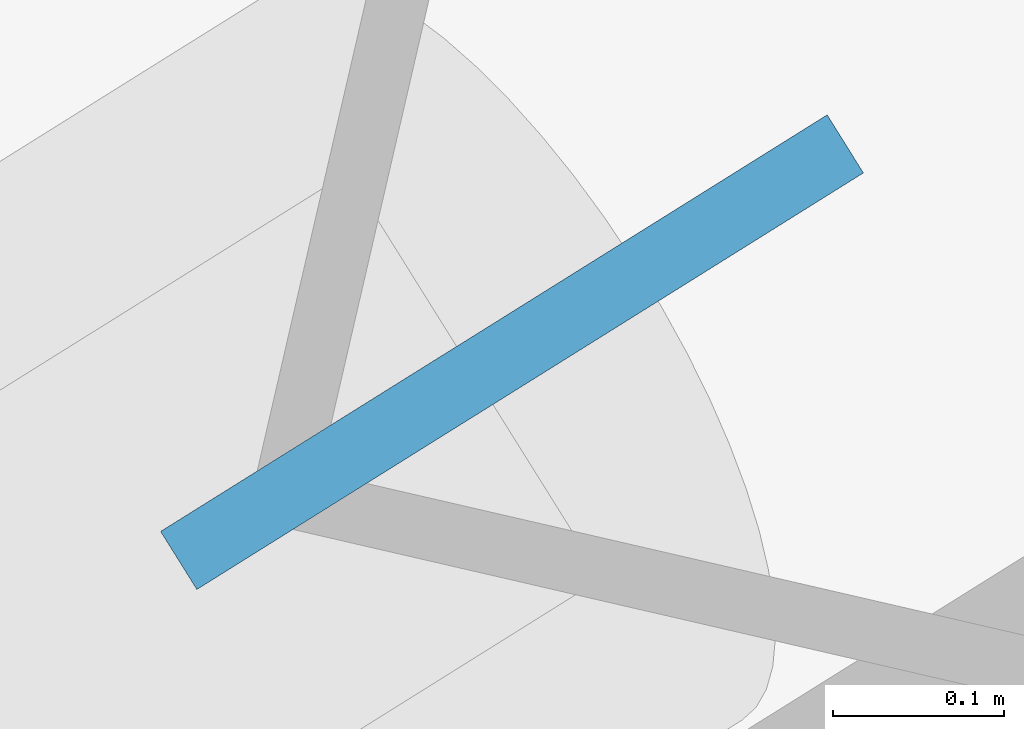
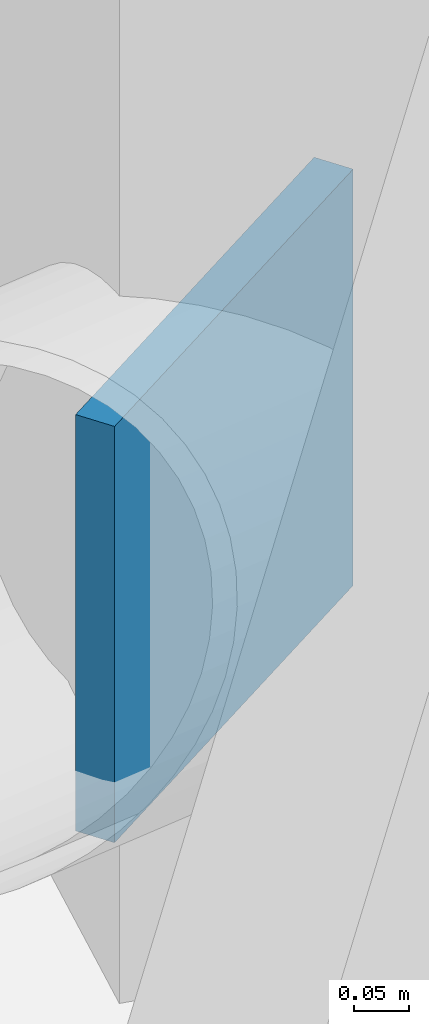
# One storey, part 16 of 19: 1 discrete accessory.
"""IFC4 building model written with IfcOpenShell, lengths in metres."""

from ifc_helpers import new_model, si_unit, direction, frame, origin, origin_2d, place, context, subcontext, project, spatial, rectangle, extrude, material, type_object, element, save


model = new_model("IFC4")

# Units and contexts
model_context = context("Model", 3, precision=1e-05, world=origin(), true_north=direction((0.0, 1.0)))
body_context = subcontext(model_context, "Body", "Model", "MODEL_VIEW")
ifc_project = project(units=[si_unit("LENGTHUNIT", "METRE"), si_unit("AREAUNIT", "SQUARE_METRE"), si_unit("VOLUMEUNIT", "CUBIC_METRE"), si_unit("PLANEANGLEUNIT", "RADIAN"), si_unit("MASSUNIT", "GRAM", prefix="KILO")], contexts=[model_context])

# Site, building, storey
site_placement = place(None, origin())
site = spatial("IfcSite", under=ifc_project, at=site_placement, CompositionType="ELEMENT")
building_placement = place(site_placement, origin())
building = spatial("IfcBuilding", under=site, at=building_placement, Name="Tavrogorsk Clinical Tower", CompositionType="ELEMENT")
storey_placement = place(building_placement, frame((0.0, 0.0, 75.39990234375)))
storey = spatial("IfcBuildingStorey", under=building, at=storey_placement, Name="L16", CompositionType="ELEMENT", Elevation=75.39990234375)

# Discrete accessory
ifc_material = material(Name="Structural steel S440", Category="steel")
discrete_accessory_type = type_object("IfcDiscreteAccessoryType", Name="GussetPlateBracket_25", PredefinedType="BRACKET", material=ifc_material)
discrete_accessory_placement = place(storey_placement, frame((-30.364013671875, 29.9541015625, 0.212646484375), z_axis=(0.0, 0.0, 1.0), x_axis=(-0.848048096156, -0.529919264233, 0.0)))
element("IfcDiscreteAccessory", 1, at=discrete_accessory_placement, inside=storey, type_object=discrete_accessory_type, Name="L16 Brace Gusset Plate EXOCRN-L16-3-A", PredefinedType="BRACKET", context=body_context, shape_type="SweptSolid", body=[
    extrude(rectangle(XDim=0.4599609375, YDim=0.0400390625, at=origin_2d()), origin(), (0.0, 0.0, 1.0), 0.4599609375),
])

save(model, "model.ifc")
